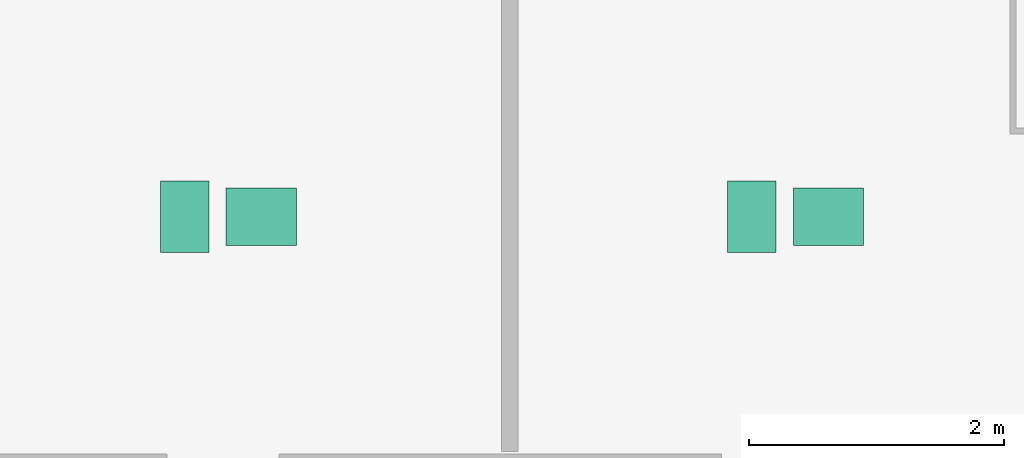
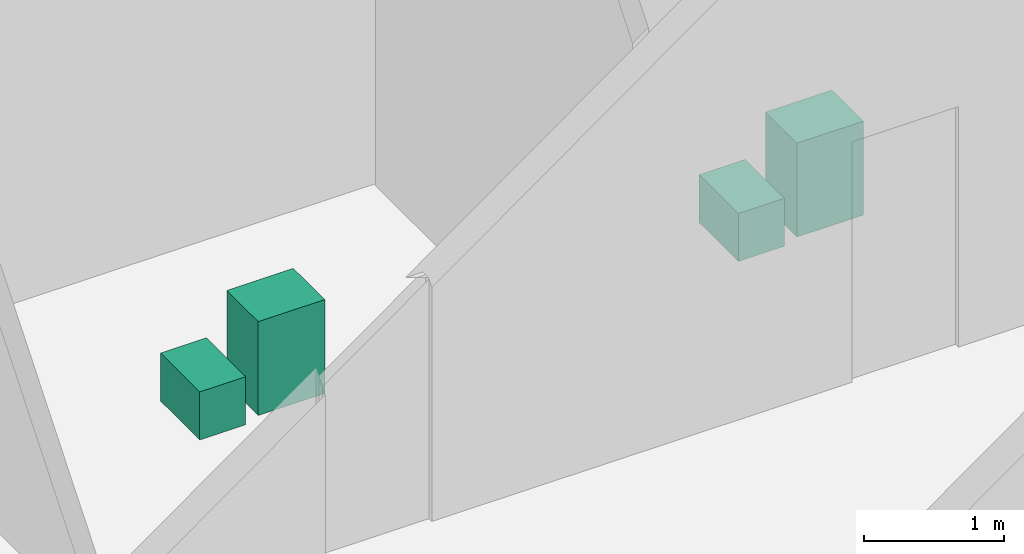
# One storey, part 25 of 25: 4 sanitary terminals.
"""IFC4 building model written with IfcOpenShell, lengths in metres."""

from ifc_helpers import new_model, si_unit, direction, frame, origin, origin_2d, place, context, subcontext, project, spatial, rectangle, extrude, source, transform, mapped, material, type_object, type_shapes, element, save


model = new_model("IFC4")

# Units and contexts
model_context = context("Model", 3, precision=1e-05, world=origin(), true_north=direction((0.0, 1.0)))
body_context = subcontext(model_context, "Body", "Model", "MODEL_VIEW")
ifc_project = project(units=[si_unit("LENGTHUNIT", "METRE"), si_unit("AREAUNIT", "SQUARE_METRE"), si_unit("VOLUMEUNIT", "CUBIC_METRE"), si_unit("PLANEANGLEUNIT", "RADIAN"), si_unit("MASSUNIT", "GRAM", prefix="KILO")], contexts=[model_context])

# Site, building, storey
site_placement = place(None, origin())
site = spatial("IfcSite", under=ifc_project, at=site_placement, CompositionType="ELEMENT")
building_placement = place(site_placement, origin())
building = spatial("IfcBuilding", under=site, at=building_placement, Name="Seokmaru Belvedere", CompositionType="ELEMENT")
storey_placement = place(building_placement, frame((0.0, 0.0, 5.39990234375)))
storey = spatial("IfcBuildingStorey", under=building, at=storey_placement, Name="L01", CompositionType="ELEMENT", Elevation=5.39990234375)

# Sanitary terminals
ifc_material = material(Name="Vitreous China Sanitaryware")
sanitary_terminal_type_1 = type_object("IfcSanitaryTerminalType", Name="Wall-Hung Vitreous China WC Pan", PredefinedType="TOILETPAN", material=ifc_material)
shared_shape_1 = source(origin(), body_context, "Body", "SweptSolid", [
    extrude(rectangle(XDim=0.3798828125, YDim=0.56005859375, at=origin_2d()), origin(), (0.0, 0.0, 1.0), 0.419921875),
])
type_shapes(sanitary_terminal_type_1, [shared_shape_1])
for number, where, z_axis, x_axis, name in (
    (1, (20.449951171875, 3.27490234375, 0.000244140625), (0.0, 0.0, 1.0), (1.0, 0.0, 0.0), "L01 Vitreous China WC 0006"),
    (2, (24.89990234375, 3.27490234375, 0.000244140625), (0.0, 0.0, 1.0), (1.0, 0.0, 0.0), "L01 Vitreous China WC 0007"),
):
    element("IfcSanitaryTerminal", number, at=place(storey_placement, frame(where, z_axis=z_axis, x_axis=x_axis)), inside=storey, type_object=sanitary_terminal_type_1, Name=name, PredefinedType="TOILETPAN", context=body_context, shape_type="MappedRepresentation", body=[
        mapped(shared_shape_1, transform((0.0, 0.0, 0.0), scale=1.0)),
    ])
sanitary_terminal_type_2 = type_object("IfcSanitaryTerminalType", Name="Countertop Ceramic Washhand Basin", PredefinedType="WASHHANDBASIN", material=ifc_material)
shared_shape_2 = source(origin(), body_context, "Body", "SweptSolid", [
    extrude(rectangle(XDim=0.550048828125, YDim=0.449951171875, at=origin_2d()), origin(), (0.0, 0.0, 1.0), 0.820068359375),
])
type_shapes(sanitary_terminal_type_2, [shared_shape_2])
for number, where, z_axis, x_axis, name in (
    (3, (21.050048828125, 3.27490234375, 0.0), (0.0, 0.0, 1.0), (1.0, 0.0, 0.0), "L01 Ceramic Washhand Basin 0006"),
    (4, (25.5, 3.27490234375, 0.0), (0.0, 0.0, 1.0), (1.0, 0.0, 0.0), "L01 Ceramic Washhand Basin 0007"),
):
    element("IfcSanitaryTerminal", number, at=place(storey_placement, frame(where, z_axis=z_axis, x_axis=x_axis)), inside=storey, type_object=sanitary_terminal_type_2, Name=name, PredefinedType="WASHHANDBASIN", context=body_context, shape_type="MappedRepresentation", body=[
        mapped(shared_shape_2, transform((0.0, 0.0, 0.0), scale=1.0)),
    ])

save(model, "model.ifc")
